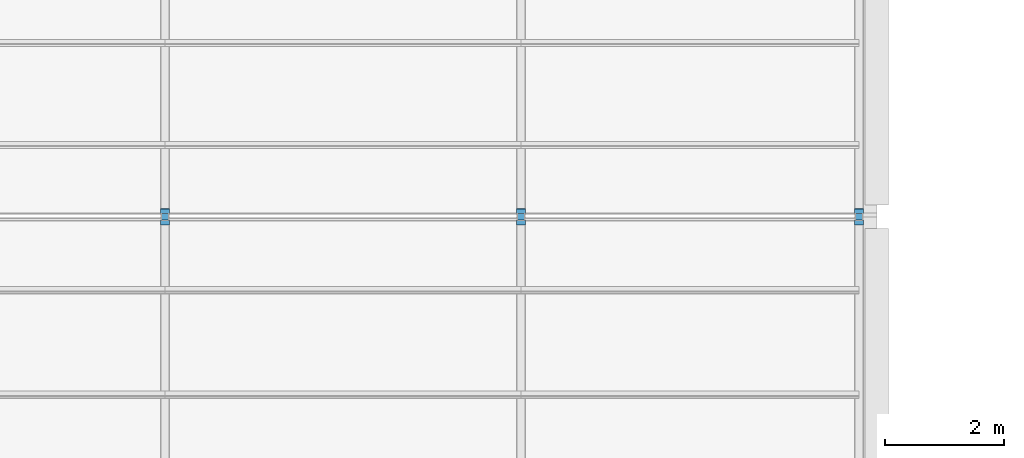
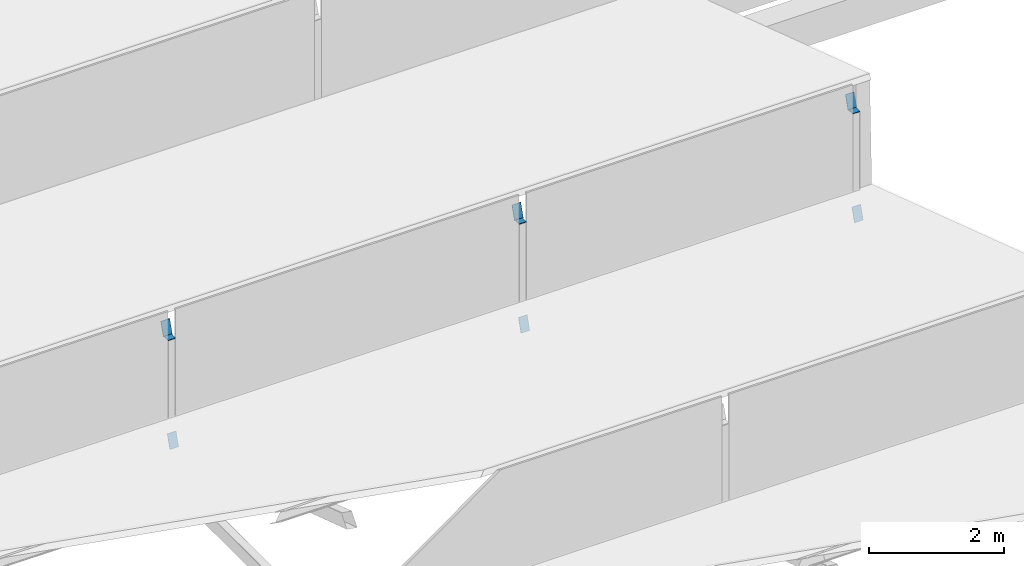
# One storey, part 81 of 118: 9 discrete accessories.
"""IFC4 building model written with IfcOpenShell, lengths in metres."""

from ifc_helpers import new_model, si_unit, direction, frame, origin, origin_2d, place, context, subcontext, project, spatial, rectangle, extrude, material, material_profile, profile_set, type_object, element, save


model = new_model("IFC4")

# Units and contexts
model_context = context("Model", 3, precision=1e-05, world=origin(), true_north=direction((0.0, 1.0)))
body_context = subcontext(model_context, "Body", "Model", "MODEL_VIEW")
ifc_project = project(units=[si_unit("LENGTHUNIT", "METRE"), si_unit("AREAUNIT", "SQUARE_METRE"), si_unit("VOLUMEUNIT", "CUBIC_METRE"), si_unit("PLANEANGLEUNIT", "RADIAN"), si_unit("MASSUNIT", "GRAM", prefix="KILO")], contexts=[model_context])

# Site, building, storey
site_placement = place(None, origin())
site = spatial("IfcSite", under=ifc_project, at=site_placement, CompositionType="ELEMENT")
building_placement = place(site_placement, origin())
building = spatial("IfcBuilding", under=site, at=building_placement, Name="Saffron Lane Theatres", CompositionType="ELEMENT")
storey_placement = place(building_placement, frame((0.0, 0.0, 16.5)))
storey = spatial("IfcBuildingStorey", under=building, at=storey_placement, Name="L03", CompositionType="ELEMENT", Elevation=16.5)

# Discrete accessories
ifc_material_1 = material(Name="Steel Grade 350", Category="steel")
ifc_material_profile_1 = material_profile(ifc_material_1, rectangle(XDim=0.125, YDim=0.125, at=origin_2d()))
ifc_profile_set_1 = profile_set([ifc_material_profile_1], Name="Steel Grade 350")
discrete_accessory_type_1 = type_object("IfcDiscreteAccessoryType", Name="ST-STEEL END CAP 125x125x6 SHS", PredefinedType="ANCHORPLATE", material=ifc_profile_set_1)
for number, where, z_axis, x_axis, name in (
    (1, (18.0, 12.0, 2.638671875), (0.0, 0.0, 1.0), (1.0, 0.0, 0.0), "EC180"),
    (2, (24.0, 12.0, 2.638671875), (0.0, 0.0, 1.0), (1.0, 0.0, 0.0), "EC191"),
    (3, (29.699951171875, 12.0, 2.638671875), (0.0, 0.0, 1.0), (1.0, 0.0, 0.0), "EC203"),
):
    element("IfcDiscreteAccessory", number, at=place(storey_placement, frame(where, z_axis=z_axis, x_axis=x_axis)), inside=storey, type_object=discrete_accessory_type_1, Name=name, PredefinedType="ANCHORPLATE", context=body_context, shape_type="SweptSolid", body=[
        extrude(rectangle(XDim=0.125, YDim=0.125, at=origin_2d()), origin(), (0.0, 0.0, 1.0), 0.011962890625),
    ])
ifc_material_2 = material(Name="Steel Grade 350", Category="steel")
ifc_material_profile_2 = material_profile(ifc_material_2, rectangle(XDim=0.14990234375, YDim=0.25, at=origin_2d()))
ifc_profile_set_2 = profile_set([ifc_material_profile_2], Name="Steel Grade 350")
discrete_accessory_type_2 = type_object("IfcDiscreteAccessoryType", Name="ST-STEEL END CAP 250x150x9 RHS", PredefinedType="ANCHORPLATE", material=ifc_profile_set_2)
for number, where, z_axis, x_axis, name in (
    (4, (18.0, 11.8984375, 0.844482421875), (0.0, 0.950729839481, -0.310020599831), (-1.0, 0.0, 0.0), "EC179"),
    (5, (18.0, 12.09033203125, 2.76123046875), (0.0, 0.950729839481, -0.310020599831), (-1.0, 0.0, 0.0), "EC182"),
    (6, (24.0, 11.8984375, 0.844482421875), (0.0, 0.950729839481, -0.310020599831), (-1.0, 0.0, 0.0), "EC190"),
    (7, (24.0, 12.09033203125, 2.76123046875), (0.0, 0.950729839481, -0.310020599831), (-1.0, 0.0, 0.0), "EC193"),
    (8, (29.699951171875, 11.8984375, 0.844482421875), (0.0, 0.950729839481, -0.310020599831), (-1.0, 0.0, 0.0), "EC202"),
    (9, (29.699951171875, 12.09033203125, 2.76123046875), (0.0, 0.950729839481, -0.310020599831), (-1.0, 0.0, 0.0), "EC205"),
):
    element("IfcDiscreteAccessory", number, at=place(storey_placement, frame(where, z_axis=z_axis, x_axis=x_axis)), inside=storey, type_object=discrete_accessory_type_2, Name=name, PredefinedType="ANCHORPLATE", context=body_context, shape_type="SweptSolid", body=[
        extrude(rectangle(XDim=0.14990234375, YDim=0.25, at=origin_2d()), origin(), (0.0, 0.0, 1.0), 0.01171875),
    ])

save(model, "model.ifc")
